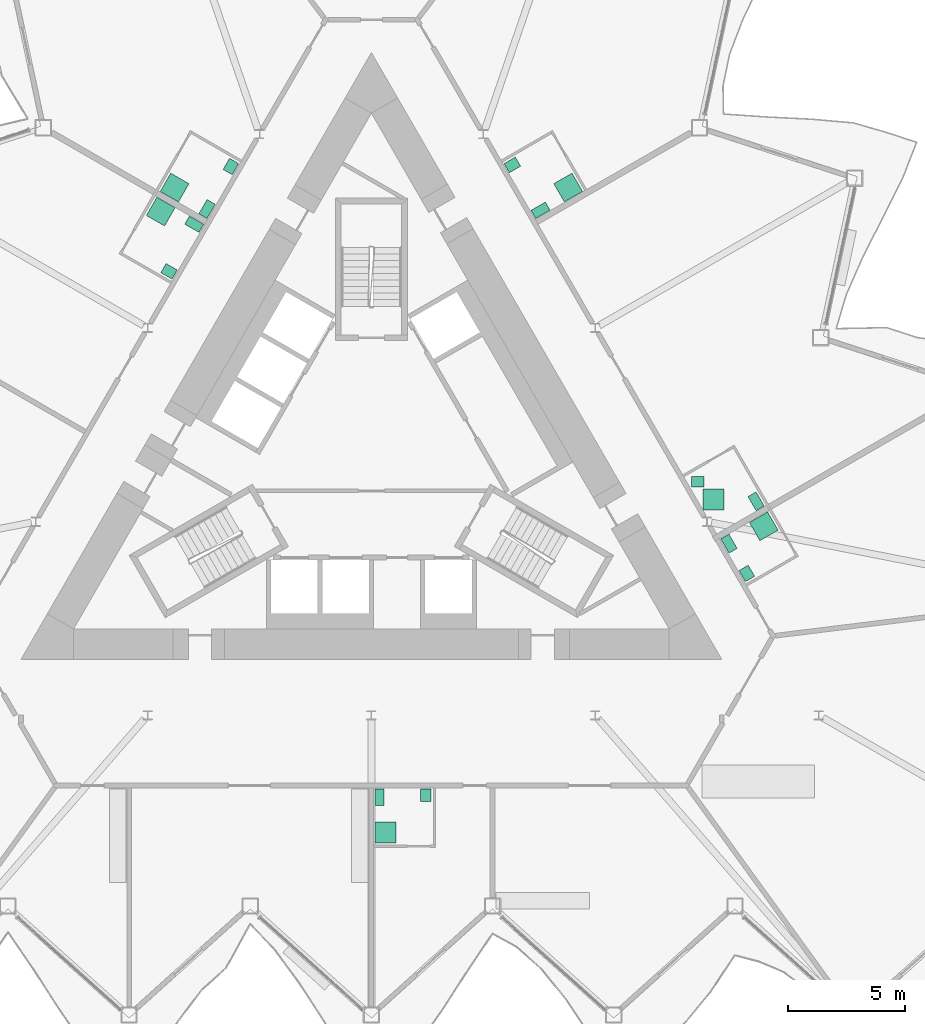
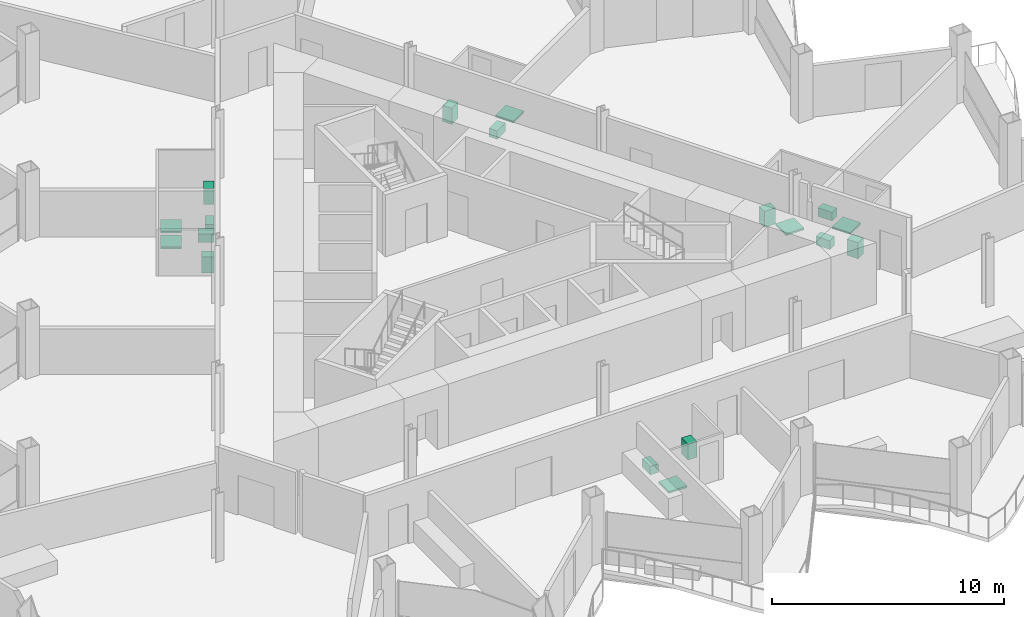
# One storey, part 23 of 24: 18 sanitary terminals.
"""IFC4 building model written with IfcOpenShell, lengths in metres."""

from ifc_helpers import new_model, si_unit, direction, frame, origin, origin_2d, place, context, subcontext, project, spatial, rectangle, extrude, material, type_object, element, save


model = new_model("IFC4")

# Units and contexts
model_context = context("Model", 3, precision=1e-05, world=origin(), true_north=direction((0.0, 1.0)))
body_context = subcontext(model_context, "Body", "Model", "MODEL_VIEW")
ifc_project = project(units=[si_unit("LENGTHUNIT", "METRE"), si_unit("AREAUNIT", "SQUARE_METRE"), si_unit("VOLUMEUNIT", "CUBIC_METRE"), si_unit("PLANEANGLEUNIT", "RADIAN"), si_unit("MASSUNIT", "GRAM", prefix="KILO")], contexts=[model_context])

# Site, building, storey
site_placement = place(None, origin())
site = spatial("IfcSite", under=ifc_project, at=site_placement, CompositionType="ELEMENT")
building_placement = place(site_placement, origin())
building = spatial("IfcBuilding", under=site, at=building_placement, Name="Cormorant Prow Tower", CompositionType="ELEMENT")
storey_placement = place(building_placement, frame((0.0, 0.0, 270.60009765625)))
storey = spatial("IfcBuildingStorey", under=building, at=storey_placement, Name="L61", CompositionType="ELEMENT", Elevation=270.60009765625)

# Sanitary terminals
ifc_material_1 = material(Name="Vitreous china")
sanitary_terminal_type_1 = type_object("IfcSanitaryTerminalType", Name="Shower tray 900x900", PredefinedType="SHOWER", material=ifc_material_1)
for number, where, z_axis, x_axis, name in (
    (1, (0.594970703125, -16.065185546875, -0.000244140625), (0.0, 0.0, 1.0), (0.0, 1.0, 0.0), "Shower tray"),
    (2, (16.797607421875, -2.963623046875, -0.000244140625), (0.0, 0.0, 1.0), (0.5, -0.866025403784, 0.0), "Shower tray"),
    (3, (14.643310546875, -1.821044921875, -0.000244140625), (0.0, 0.0, 1.0), (1.0, 0.0, 0.0), "Shower tray"),
    (4, (8.4248046875, 11.538330078125, -0.000244140625), (0.0, 0.0, 1.0), (-0.866025403784, -0.5, 0.0), "Shower tray"),
    (5, (-8.4248046875, 11.538330078125, -0.000244140625), (0.0, 0.0, 1.0), (0.5, 0.866025403784, 0.0), "Shower tray"),
    (6, (-9.019775390625, 10.5078125, -0.000244140625), (0.0, 0.0, 1.0), (0.866025403784, -0.5, 0.0), "Shower tray"),
):
    element("IfcSanitaryTerminal", number, at=place(storey_placement, frame(where, z_axis=z_axis, x_axis=x_axis)), inside=storey, type_object=sanitary_terminal_type_1, Name=name, PredefinedType="SHOWER", context=body_context, shape_type="SweptSolid", body=[
        extrude(rectangle(XDim=0.89990234375, YDim=0.89990234375, at=origin_2d()), origin(), (0.0, 0.0, 1.0), 0.10009765625),
    ])
ifc_material_2 = material(Name="Vitreous china")
sanitary_terminal_type_2 = type_object("IfcSanitaryTerminalType", Name="Wash basin 550x450", PredefinedType="WASHHANDBASIN", material=ifc_material_2)
for number, where, z_axis, x_axis, name in (
    (7, (2.330078125, -14.480224609375, -0.000244140625), (0.0, 0.0, 1.0), (0.0, -1.0, 0.0), "Wash basin"),
    (8, (16.07421875, -4.980712890625, -0.000244140625), (0.0, 0.0, 1.0), (-0.5, 0.866025403784, 0.0), "Wash basin"),
    (9, (13.968505859375, -1.046142578125, -0.000244140625), (0.0, 0.0, 1.0), (1.0, 0.0, 0.0), "Wash basin"),
    (10, (6.03466796875, 12.50830078125, -0.000244140625), (0.0, 0.0, 1.0), (0.866025403784, 0.5, 0.0), "Wash basin"),
    (11, (-6.016357421875, 12.43994140625, -0.000244140625), (0.0, 0.0, 1.0), (-0.5, -0.866025403784, 0.0), "Wash basin"),
    (12, (-8.66455078125, 7.952880859375, -0.000244140625), (0.0, 0.0, 1.0), (-0.866025403784, 0.5, 0.0), "Wash basin"),
):
    element("IfcSanitaryTerminal", number, at=place(storey_placement, frame(where, z_axis=z_axis, x_axis=x_axis)), inside=storey, type_object=sanitary_terminal_type_2, Name=name, PredefinedType="WASHHANDBASIN", context=body_context, shape_type="SweptSolid", body=[
        extrude(rectangle(XDim=0.550048828125, YDim=0.449951171875, at=origin_2d()), origin(), (0.0, 0.0, 1.0), 0.85009765625),
    ])
ifc_material_3 = material(Name="Vitreous china")
sanitary_terminal_type_3 = type_object("IfcSanitaryTerminalType", Name="Water closet 400x700", PredefinedType="WCSEAT", material=ifc_material_3)
for number, where, z_axis, x_axis, name in (
    (13, (0.344970703125, -14.555419921875, 0.0), (0.0, 0.0, 1.0), (1.0, 0.0, 0.0), "Water closet"),
    (14, (15.31005859375, -3.70703125, 0.0), (0.0, 0.0, 1.0), (0.866025403784, 0.5, 0.0), "Water closet"),
    (15, (16.468994140625, -1.894775390625, 0.0), (0.0, 0.0, 1.0), (-0.866025403784, -0.5, 0.0), "Water closet"),
    (16, (7.241943359375, 10.56689453125, 0.0), (0.0, 0.0, 1.0), (-0.5, 0.866025403784, 0.0), "Water closet"),
    (17, (-7.037109375, 10.621826171875, 0.0), (0.0, 0.0, 1.0), (-0.866025403784, 0.5, 0.0), "Water closet"),
    (18, (-7.5869140625, 9.969482421875, 0.0), (0.0, 0.0, 1.0), (-0.5, -0.866025403784, 0.0), "Water closet"),
):
    element("IfcSanitaryTerminal", number, at=place(storey_placement, frame(where, z_axis=z_axis, x_axis=x_axis)), inside=storey, type_object=sanitary_terminal_type_3, Name=name, PredefinedType="WCSEAT", context=body_context, shape_type="SweptSolid", body=[
        extrude(rectangle(XDim=0.39990234375, YDim=0.699951171875, at=origin_2d()), origin(), (0.0, 0.0, 1.0), 0.449951171875),
    ])

save(model, "model.ifc")
